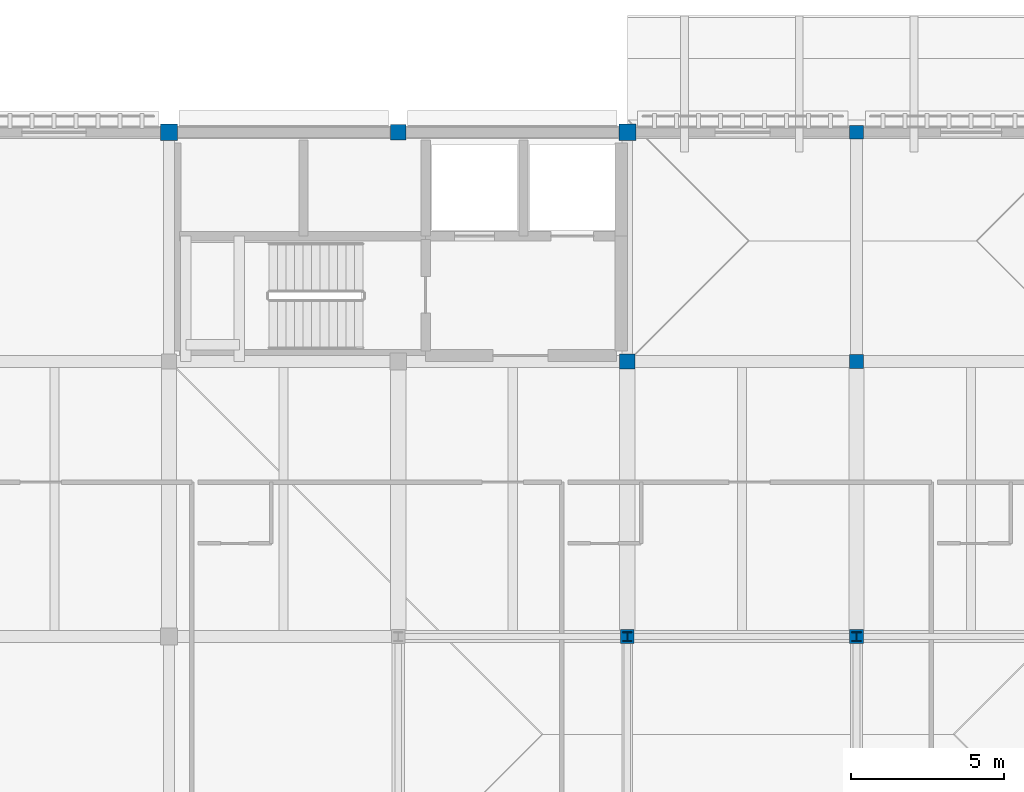
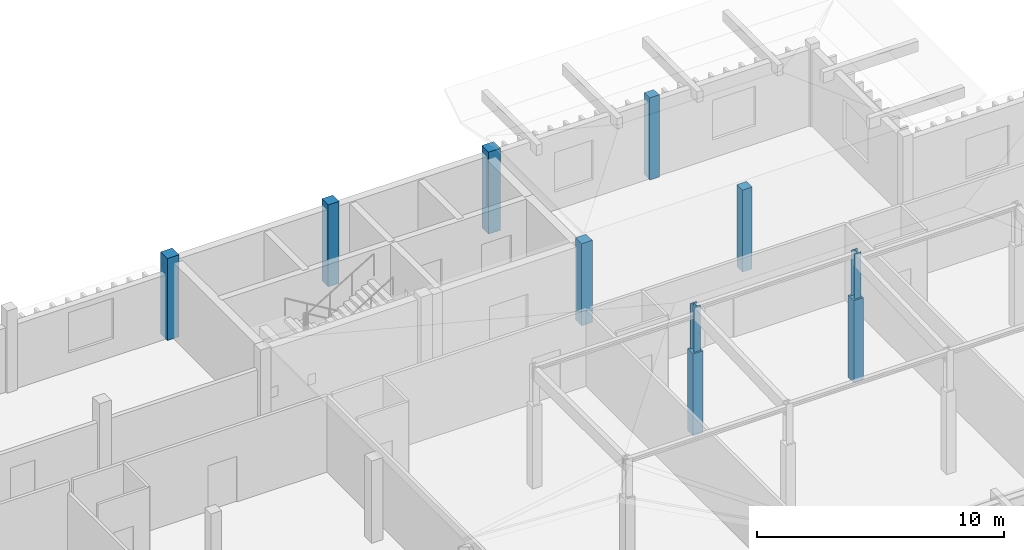
# One storey, part 9 of 48: 10 columns.
"""IFC4 building model written with IfcOpenShell, lengths in metres."""

from ifc_helpers import new_model, si_unit, direction, frame, origin, origin_2d, place, context, subcontext, project, spatial, rectangle, i_section, extrude, material, material_profile, profile_set, type_object, element, save


model = new_model("IFC4")

# Units and contexts
model_context = context("Model", 3, precision=1e-05, world=origin(), true_north=direction((0.0, 1.0)))
body_context = subcontext(model_context, "Body", "Model", "MODEL_VIEW")
ifc_project = project(units=[si_unit("LENGTHUNIT", "METRE"), si_unit("AREAUNIT", "SQUARE_METRE"), si_unit("VOLUMEUNIT", "CUBIC_METRE"), si_unit("PLANEANGLEUNIT", "RADIAN"), si_unit("MASSUNIT", "GRAM", prefix="KILO")], contexts=[model_context])

# Site, building, storey
site_placement = place(None, origin())
site = spatial("IfcSite", under=ifc_project, at=site_placement, CompositionType="ELEMENT")
building_placement = place(site_placement, origin())
building = spatial("IfcBuilding", under=site, at=building_placement, Name="Dalvernix Boulevard General Hospital", CompositionType="ELEMENT")
storey_placement = place(building_placement, frame((0.0, 0.0, 17.85009765625)))
storey = spatial("IfcBuildingStorey", under=building, at=storey_placement, Name="L04", CompositionType="ELEMENT", Elevation=17.85009765625)

# Columns
ifc_material_1 = material(Name="Concrete C40/50", Category="concrete")
ifc_material_profile_1 = material_profile(ifc_material_1, rectangle(XDim=0.550048828125, YDim=0.550048828125, at=origin_2d()), Name="RC 550x550")
ifc_profile_set_1 = profile_set([ifc_material_profile_1], Name="Concrete C40/50")
column_type_1 = type_object("IfcColumnType", Name="COL-C-08-E", PredefinedType="COLUMN", material=ifc_profile_set_1)
for number, where, z_axis, x_axis, name in (
    (1, (97.5, 117.0, 0.0), (0.0, 0.0, 1.0), (1.0, 0.0, 0.0), "L04 column 14R"),
    (2, (112.5, 117.0, 0.0), (0.0, 0.0, 1.0), (1.0, 0.0, 0.0), "L04 column 16R"),
):
    element("IfcColumn", number, at=place(storey_placement, frame(where, z_axis=z_axis, x_axis=x_axis)), inside=storey, type_object=column_type_1, Name=name, PredefinedType="COLUMN", context=body_context, shape_type="SweptSolid", body=[
        extrude(rectangle(XDim=0.550048828125, YDim=0.550048828125, at=origin_2d()), origin(), (0.0, 0.0, 1.0), 4.0498046875),
    ])
ifc_material_profile_2 = material_profile(ifc_material_1, rectangle(XDim=0.5, YDim=0.5, at=origin_2d()), Name="RC 500x500")
ifc_profile_set_2 = profile_set([ifc_material_profile_2], Name="Concrete C40/50")
column_type_2 = type_object("IfcColumnType", Name="COL-C-09-E", PredefinedType="COLUMN", material=ifc_profile_set_2)
column_1_placement = place(storey_placement, frame((105.0, 117.0, 0.0), z_axis=(0.0, 0.0, 1.0), x_axis=(1.0, 0.0, 0.0)))
element("IfcColumn", 3, at=column_1_placement, inside=storey, type_object=column_type_2, Name="L04 column 15R", PredefinedType="COLUMN", context=body_context, shape_type="SweptSolid", body=[
    extrude(rectangle(XDim=0.5, YDim=0.5, at=origin_2d()), origin(), (0.0, 0.0, 1.0), 4.0498046875),
])
ifc_material_profile_3 = material_profile(ifc_material_1, rectangle(XDim=0.5, YDim=0.5, at=origin_2d()), Name="RC 500x500")
ifc_profile_set_3 = profile_set([ifc_material_profile_3], Name="Concrete C40/50")
column_type_3 = type_object("IfcColumnType", Name="COL-C-09-I", PredefinedType="COLUMN", material=ifc_profile_set_3)
column_2_placement = place(storey_placement, frame((112.5, 109.5, 0.0), z_axis=(0.0, 0.0, 1.0), x_axis=(1.0, 0.0, 0.0)))
element("IfcColumn", 4, at=column_2_placement, inside=storey, type_object=column_type_3, Name="L04 column 16Q", PredefinedType="COLUMN", context=body_context, shape_type="SweptSolid", body=[
    extrude(rectangle(XDim=0.5, YDim=0.5, at=origin_2d()), origin(), (0.0, 0.0, 1.0), 4.0498046875),
])
ifc_material_profile_4 = material_profile(ifc_material_1, rectangle(XDim=0.449951171875, YDim=0.449951171875, at=origin_2d()), Name="RC 450x450")
ifc_profile_set_4 = profile_set([ifc_material_profile_4], Name="Concrete C40/50")
column_type_4 = type_object("IfcColumnType", Name="COL-C-10-E", PredefinedType="COLUMN", material=ifc_profile_set_4)
column_3_placement = place(storey_placement, frame((120.0, 117.0, 0.0), z_axis=(0.0, 0.0, 1.0), x_axis=(1.0, 0.0, 0.0)))
element("IfcColumn", 5, at=column_3_placement, inside=storey, type_object=column_type_4, Name="L04 column 17R", PredefinedType="COLUMN", context=body_context, shape_type="SweptSolid", body=[
    extrude(rectangle(XDim=0.449951171875, YDim=0.449951171875, at=origin_2d()), origin(), (0.0, 0.0, 1.0), 4.0498046875),
])
ifc_material_profile_5 = material_profile(ifc_material_1, rectangle(XDim=0.449951171875, YDim=0.449951171875, at=origin_2d()), Name="RC 450x450")
ifc_profile_set_5 = profile_set([ifc_material_profile_5], Name="Concrete C40/50")
column_type_5 = type_object("IfcColumnType", Name="COL-C-10-I", PredefinedType="COLUMN", material=ifc_profile_set_5)
for number, where, z_axis, x_axis, name in (
    (6, (112.5, 100.5, 0.0), (0.0, 0.0, 1.0), (1.0, 0.0, 0.0), "L04 column 16P"),
    (7, (120.0, 100.5, 0.0), (0.0, 0.0, 1.0), (1.0, 0.0, 0.0), "L04 column 17P"),
    (8, (120.0, 109.5, 0.0), (0.0, 0.0, 1.0), (1.0, 0.0, 0.0), "L04 column 17Q"),
):
    element("IfcColumn", number, at=place(storey_placement, frame(where, z_axis=z_axis, x_axis=x_axis)), inside=storey, type_object=column_type_5, Name=name, PredefinedType="COLUMN", context=body_context, shape_type="SweptSolid", body=[
        extrude(rectangle(XDim=0.449951171875, YDim=0.449951171875, at=origin_2d()), origin(), (0.0, 0.0, 1.0), 4.0498046875),
    ])
ifc_material_2 = material(Name="Steel S355", Category="steel")
ifc_material_profile_6 = material_profile(ifc_material_2, i_section(OverallWidth=0.300048828125, OverallDepth=0.300048828125, WebThickness=0.010986328125, FlangeThickness=0.01904296875, FilletRadius=0.027099609375, at=origin_2d()), Name="HEB 300")
ifc_profile_set_6 = profile_set([ifc_material_profile_6], Name="Steel S355")
column_type_6 = type_object("IfcColumnType", Name="COL-C-18", PredefinedType="COLUMN", material=ifc_profile_set_6)
for number, where, z_axis, x_axis, name in (
    (9, (112.5, 100.5, 4.0498046875), (0.0, 0.0, 1.0), (1.0, 0.0, 0.0), "V3E roof king post 16P"),
    (10, (120.0, 100.5, 4.0498046875), (0.0, 0.0, 1.0), (1.0, 0.0, 0.0), "V3E roof king post 17P"),
):
    element("IfcColumn", number, at=place(storey_placement, frame(where, z_axis=z_axis, x_axis=x_axis)), inside=storey, type_object=column_type_6, Name=name, PredefinedType="COLUMN", context=body_context, shape_type="SweptSolid", body=[
        extrude(i_section(OverallWidth=0.300048828125, OverallDepth=0.300048828125, WebThickness=0.010986328125, FlangeThickness=0.01904296875, FilletRadius=0.027099609375, at=origin_2d()), origin(), (0.0, 0.0, 1.0), 2.240478515625),
    ])

save(model, "model.ifc")
